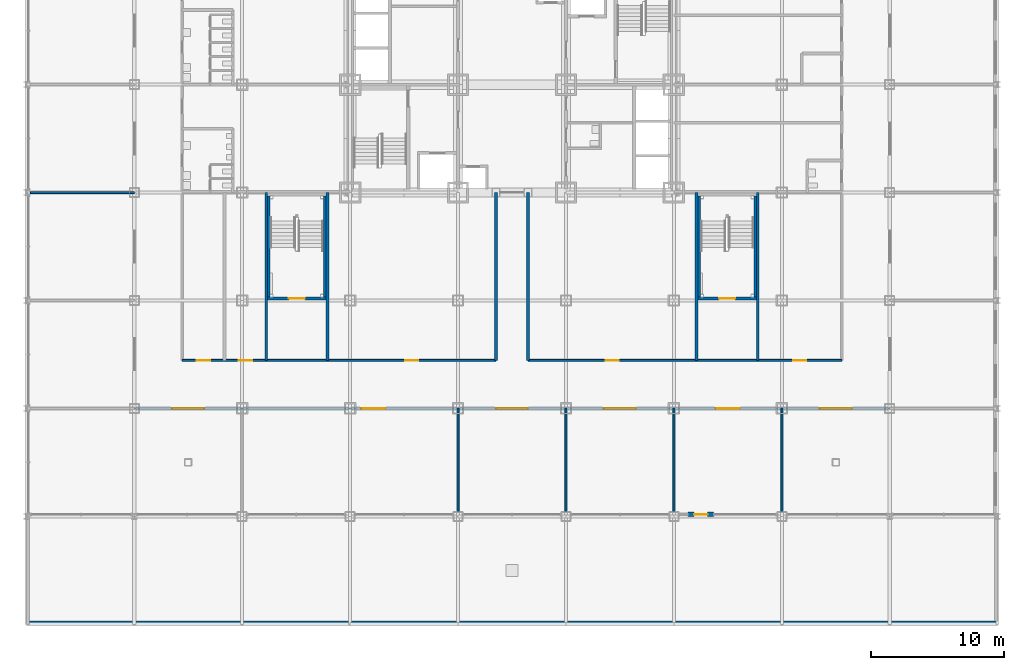
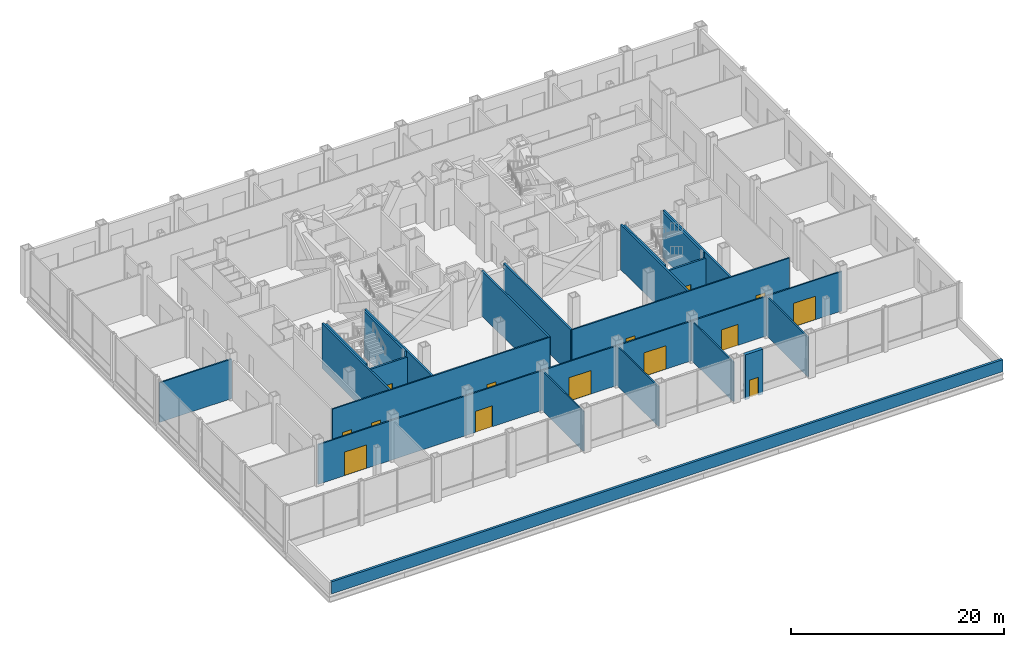
# One storey, part 21 of 29: 22 walls, 14 doors, 14 openings.
"""IFC4 building model written with IfcOpenShell, lengths in metres."""

from ifc_helpers import new_model, si_unit, direction, frame, frame_2d, origin, place, context, subcontext, project, spatial, rectangle, extrude, material, layer, layer_set, type_object, element, fill, save


model = new_model("IFC4")

# Units and contexts
model_context = context("Model", 3, precision=1e-05, world=origin(), true_north=direction((0.0, 1.0)))
body_context = subcontext(model_context, "Body", "Model", "MODEL_VIEW")
ifc_project = project(units=[si_unit("LENGTHUNIT", "METRE"), si_unit("AREAUNIT", "SQUARE_METRE"), si_unit("VOLUMEUNIT", "CUBIC_METRE"), si_unit("PLANEANGLEUNIT", "RADIAN"), si_unit("MASSUNIT", "GRAM", prefix="KILO")], contexts=[model_context])

# Site, building, storey
site_placement = place(None, origin())
site = spatial("IfcSite", under=ifc_project, at=site_placement, CompositionType="ELEMENT")
building_placement = place(site_placement, origin())
building = spatial("IfcBuilding", under=site, at=building_placement, Name="Kopane Lantern Tower", CompositionType="ELEMENT")
storey_placement = place(building_placement, frame((0.0, 0.0, 11.39990234375)))
storey = spatial("IfcBuildingStorey", under=building, at=storey_placement, Name="L02", CompositionType="ELEMENT", Elevation=11.39990234375)

# Wall, openings, doors
ifc_material_1 = material(Name="Gypsum board on steel studs", Category="steel")
ifc_layer_1 = layer(ifc_material_1, 0.14990234375)
ifc_layer_set_1 = layer_set([ifc_layer_1], Name="CORRIDOR WALL 150 EI 60")
wall_type_1 = type_object("IfcWallType", Name="CORRIDOR WALL 150 EI 60", PredefinedType="PARTITIONING", material=ifc_layer_set_1)
wall_1_placement = place(storey_placement, frame((0.0, 8.10009765625, 0.0), z_axis=(0.0, 0.0, 1.0), x_axis=(1.0, 0.0, 0.0)))
wall_1 = element("IfcWall", 1, at=wall_1_placement, inside=storey, type_object=wall_type_1, Name="Corridor Wall 150 Ei 60 L02", PredefinedType="PARTITIONING", context=body_context, shape_type="SweptSolid", body=[
    extrude(rectangle(XDim=56.699951171875, YDim=0.14990234375, at=frame_2d((28.35009765625, 0.0))), origin(), (0.0, 0.0, 1.0), 4.537841796875),
])
opening_1_placement = place(wall_1_placement, frame((17.050048828125, 0.0, 0.0)))
opening_1 = element("IfcOpeningElement", 2, at=opening_1_placement, cuts=wall_1, Name="Opening L02-016", PredefinedType="OPENING", context=body_context, shape_type="SweptSolid", body=[
    extrude(rectangle(XDim=1.800048828125, YDim=2.39990234375, at=frame_2d((0.89990234375, 1.199951171875))), frame((0.0, 0.0849609375, 0.0), z_axis=(0.0, -1.0, 0.0), x_axis=(1.0, 0.0, 0.0)), (0.0, 0.0, 1.0), 0.169921875),
])
opening_2_placement = place(wall_1_placement, frame((27.14990234375, 0.0, 0.0)))
opening_2 = element("IfcOpeningElement", 3, at=opening_2_placement, cuts=wall_1, Name="Opening L02-017", PredefinedType="OPENING", context=body_context, shape_type="SweptSolid", body=[
    extrude(rectangle(XDim=2.39990234375, YDim=2.699951171875, at=frame_2d((1.199951171875, 1.35009765625))), frame((0.0, 0.0849609375, 0.0), z_axis=(0.0, -1.0, 0.0), x_axis=(1.0, 0.0, 0.0)), (0.0, 0.0, 1.0), 0.169921875),
])
opening_3_placement = place(wall_1_placement, frame((35.25, 0.0, 0.0)))
opening_3 = element("IfcOpeningElement", 4, at=opening_3_placement, cuts=wall_1, Name="Opening L02-018", PredefinedType="OPENING", context=body_context, shape_type="SweptSolid", body=[
    extrude(rectangle(XDim=2.39990234375, YDim=2.699951171875, at=frame_2d((1.199951171875, 1.35009765625))), frame((0.0, 0.0849609375, 0.0), z_axis=(0.0, -1.0, 0.0), x_axis=(1.0, 0.0, 0.0)), (0.0, 0.0, 1.0), 0.169921875),
])
opening_4_placement = place(wall_1_placement, frame((43.64990234375, 0.0, 0.0)))
opening_4 = element("IfcOpeningElement", 5, at=opening_4_placement, cuts=wall_1, Name="Opening L02-019", PredefinedType="OPENING", context=body_context, shape_type="SweptSolid", body=[
    extrude(rectangle(XDim=1.800048828125, YDim=2.39990234375, at=frame_2d((0.89990234375, 1.199951171875))), frame((0.0, 0.0849609375, 0.0), z_axis=(0.0, -1.0, 0.0), x_axis=(1.0, 0.0, 0.0)), (0.0, 0.0, 1.0), 0.169921875),
])
opening_5_placement = place(wall_1_placement, frame((2.85009765625, 0.0, 0.0)))
opening_5 = element("IfcOpeningElement", 6, at=opening_5_placement, cuts=wall_1, Name="Opening L02-035", PredefinedType="OPENING", context=body_context, shape_type="SweptSolid", body=[
    extrude(rectangle(XDim=2.39990234375, YDim=2.699951171875, at=frame_2d((1.199951171875, 1.35009765625))), frame((0.0, 0.0849609375, 0.0), z_axis=(0.0, -1.0, 0.0), x_axis=(1.0, 0.0, 0.0)), (0.0, 0.0, 1.0), 0.169921875),
])
opening_6_placement = place(wall_1_placement, frame((51.449951171875, 0.0, 0.0)))
opening_6 = element("IfcOpeningElement", 7, at=opening_6_placement, cuts=wall_1, Name="Opening L02-036", PredefinedType="OPENING", context=body_context, shape_type="SweptSolid", body=[
    extrude(rectangle(XDim=2.39990234375, YDim=2.699951171875, at=frame_2d((1.199951171875, 1.35009765625))), frame((0.0, 0.0849609375, 0.0), z_axis=(0.0, -1.0, 0.0), x_axis=(1.0, 0.0, 0.0)), (0.0, 0.0, 1.0), 0.169921875),
])
ifc_material_2 = material(Name="Steel door set", Category="steel")
door_type_1 = type_object("IfcDoorType", Name="DOOR D6 1800x2400 FD30S", OperationType="SINGLE_SWING_LEFT", PredefinedType="DOOR", material=ifc_material_2)
door_1_placement = place(opening_1_placement, origin())
door_1 = element("IfcDoor", 8, at=door_1_placement, inside=storey, type_object=door_type_1, Name="Door L02-016", OperationType="DOUBLE_DOOR_SINGLE_SWING", OverallHeight=2.39990234375, OverallWidth=1.800048828125, PredefinedType="DOOR", context=body_context, shape_type="SweptSolid", body=[
    extrude(rectangle(XDim=1.800048828125, YDim=2.39990234375, at=frame_2d((0.89990234375, 1.199951171875))), frame((0.0, 0.02490234375, 0.0), z_axis=(0.0, -1.0, 0.0), x_axis=(1.0, 0.0, 0.0)), (0.0, 0.0, 1.0), 0.050048828125),
])
fill(opening_1, door_1)
door_2_placement = place(opening_4_placement, origin())
door_2 = element("IfcDoor", 9, at=door_2_placement, inside=storey, type_object=door_type_1, Name="Door L02-019", OperationType="DOUBLE_DOOR_SINGLE_SWING", OverallHeight=2.39990234375, OverallWidth=1.800048828125, PredefinedType="DOOR", context=body_context, shape_type="SweptSolid", body=[
    extrude(rectangle(XDim=1.800048828125, YDim=2.39990234375, at=frame_2d((0.89990234375, 1.199951171875))), frame((0.0, 0.02490234375, 0.0), z_axis=(0.0, -1.0, 0.0), x_axis=(1.0, 0.0, 0.0)), (0.0, 0.0, 1.0), 0.050048828125),
])
fill(opening_4, door_2)
ifc_material_3 = material(Name="Timber door set", Category="wood")
door_type_2 = type_object("IfcDoorType", Name="DOOR D7 2400x2700 SHOPFRONT", OperationType="SINGLE_SWING_LEFT", PredefinedType="DOOR", material=ifc_material_3)
door_3_placement = place(opening_2_placement, origin())
door_3 = element("IfcDoor", 10, at=door_3_placement, inside=storey, type_object=door_type_2, Name="Door L02-017", OperationType="DOUBLE_DOOR_SINGLE_SWING", OverallHeight=2.699951171875, OverallWidth=2.39990234375, PredefinedType="DOOR", context=body_context, shape_type="SweptSolid", body=[
    extrude(rectangle(XDim=2.39990234375, YDim=2.699951171875, at=frame_2d((1.199951171875, 1.35009765625))), frame((0.0, 0.02490234375, 0.0), z_axis=(0.0, -1.0, 0.0), x_axis=(1.0, 0.0, 0.0)), (0.0, 0.0, 1.0), 0.050048828125),
])
fill(opening_2, door_3)
door_4_placement = place(opening_3_placement, origin())
door_4 = element("IfcDoor", 11, at=door_4_placement, inside=storey, type_object=door_type_2, Name="Door L02-018", OperationType="DOUBLE_DOOR_SINGLE_SWING", OverallHeight=2.699951171875, OverallWidth=2.39990234375, PredefinedType="DOOR", context=body_context, shape_type="SweptSolid", body=[
    extrude(rectangle(XDim=2.39990234375, YDim=2.699951171875, at=frame_2d((1.199951171875, 1.35009765625))), frame((0.0, 0.02490234375, 0.0), z_axis=(0.0, -1.0, 0.0), x_axis=(1.0, 0.0, 0.0)), (0.0, 0.0, 1.0), 0.050048828125),
])
fill(opening_3, door_4)
door_5_placement = place(opening_5_placement, origin())
door_5 = element("IfcDoor", 12, at=door_5_placement, inside=storey, type_object=door_type_2, Name="Door L02-035", OperationType="DOUBLE_DOOR_SINGLE_SWING", OverallHeight=2.699951171875, OverallWidth=2.39990234375, PredefinedType="DOOR", context=body_context, shape_type="SweptSolid", body=[
    extrude(rectangle(XDim=2.39990234375, YDim=2.699951171875, at=frame_2d((1.199951171875, 1.35009765625))), frame((0.0, 0.02490234375, 0.0), z_axis=(0.0, -1.0, 0.0), x_axis=(1.0, 0.0, 0.0)), (0.0, 0.0, 1.0), 0.050048828125),
])
fill(opening_5, door_5)
door_6_placement = place(opening_6_placement, origin())
door_6 = element("IfcDoor", 13, at=door_6_placement, inside=storey, type_object=door_type_2, Name="Door L02-036", OperationType="DOUBLE_DOOR_SINGLE_SWING", OverallHeight=2.699951171875, OverallWidth=2.39990234375, PredefinedType="DOOR", context=body_context, shape_type="SweptSolid", body=[
    extrude(rectangle(XDim=2.39990234375, YDim=2.699951171875, at=frame_2d((1.199951171875, 1.35009765625))), frame((0.0, 0.02490234375, 0.0), z_axis=(0.0, -1.0, 0.0), x_axis=(1.0, 0.0, 0.0)), (0.0, 0.0, 1.0), 0.050048828125),
])
fill(opening_6, door_6)

wall_2_placement = place(storey_placement, frame((3.60009765625, 11.699951171875, 0.0), z_axis=(0.0, 0.0, 1.0), x_axis=(1.0, 0.0, 0.0)))
wall_2 = element("IfcWall", 14, at=wall_2_placement, inside=storey, type_object=wall_type_1, Name="Corridor Wall 150 Ei 60 L02", PredefinedType="PARTITIONING", context=body_context, shape_type="SweptSolid", body=[
    extrude(rectangle(XDim=23.539794921875, YDim=0.14990234375, at=frame_2d((11.77001953125, 0.0))), origin(), (0.0, 0.0, 1.0), 5.150146484375),
])
opening_7_placement = place(wall_2_placement, frame((1.08740234375, 0.0, 0.0)))
opening_7 = element("IfcOpeningElement", 15, at=opening_7_placement, cuts=wall_2, Name="Opening L02-011", PredefinedType="OPENING", context=body_context, shape_type="SweptSolid", body=[
    extrude(rectangle(XDim=1.0, YDim=2.10009765625, at=frame_2d((0.5, 1.050048828125))), frame((0.0, 0.0849609375, 0.0), z_axis=(0.0, -1.0, 0.0), x_axis=(1.0, 0.0, 0.0)), (0.0, 0.0, 1.0), 0.169921875),
])
opening_8_placement = place(wall_2_placement, frame((4.2373046875, 0.0, 0.0)))
opening_8 = element("IfcOpeningElement", 16, at=opening_8_placement, cuts=wall_2, Name="Opening L02-012", PredefinedType="OPENING", context=body_context, shape_type="SweptSolid", body=[
    extrude(rectangle(XDim=1.0, YDim=2.10009765625, at=frame_2d((0.5, 1.050048828125))), frame((0.0, 0.0849609375, 0.0), z_axis=(0.0, -1.0, 0.0), x_axis=(1.0, 0.0, 0.0)), (0.0, 0.0, 1.0), 0.169921875),
])
opening_9_placement = place(wall_2_placement, frame((16.72509765625, 0.0, 0.0)))
opening_9 = element("IfcOpeningElement", 17, at=opening_9_placement, cuts=wall_2, Name="Opening L02-013", PredefinedType="OPENING", context=body_context, shape_type="SweptSolid", body=[
    extrude(rectangle(XDim=1.0, YDim=2.10009765625, at=frame_2d((0.5, 1.050048828125))), frame((0.0, 0.0849609375, 0.0), z_axis=(0.0, -1.0, 0.0), x_axis=(1.0, 0.0, 0.0)), (0.0, 0.0, 1.0), 0.169921875),
])
ifc_material_4 = material(Name="Steel door set", Category="steel")
door_type_3 = type_object("IfcDoorType", Name="DOOR D5 1000x2100 FD60", OperationType="SINGLE_SWING_LEFT", PredefinedType="DOOR", material=ifc_material_4)
door_7_placement = place(opening_7_placement, origin())
door_7 = element("IfcDoor", 18, at=door_7_placement, inside=storey, type_object=door_type_3, Name="Door L02-011", OperationType="SINGLE_SWING_LEFT", OverallHeight=2.10009765625, OverallWidth=1.0, PredefinedType="DOOR", context=body_context, shape_type="SweptSolid", body=[
    extrude(rectangle(XDim=1.0, YDim=2.10009765625, at=frame_2d((0.5, 1.050048828125))), frame((0.0, 0.02490234375, 0.0), z_axis=(0.0, -1.0, 0.0), x_axis=(1.0, 0.0, 0.0)), (0.0, 0.0, 1.0), 0.050048828125),
])
fill(opening_7, door_7)
door_8_placement = place(opening_8_placement, origin())
door_8 = element("IfcDoor", 19, at=door_8_placement, inside=storey, type_object=door_type_3, Name="Door L02-012", OperationType="SINGLE_SWING_RIGHT", OverallHeight=2.10009765625, OverallWidth=1.0, PredefinedType="DOOR", context=body_context, shape_type="SweptSolid", body=[
    extrude(rectangle(XDim=1.0, YDim=2.10009765625, at=frame_2d((0.5, 1.050048828125))), frame((0.0, 0.02490234375, 0.0), z_axis=(0.0, -1.0, 0.0), x_axis=(1.0, 0.0, 0.0)), (0.0, 0.0, 1.0), 0.050048828125),
])
fill(opening_8, door_8)
door_9_placement = place(opening_9_placement, origin())
door_9 = element("IfcDoor", 20, at=door_9_placement, inside=storey, type_object=door_type_3, Name="Door L02-013", OperationType="SINGLE_SWING_LEFT", OverallHeight=2.10009765625, OverallWidth=1.0, PredefinedType="DOOR", context=body_context, shape_type="SweptSolid", body=[
    extrude(rectangle(XDim=1.0, YDim=2.10009765625, at=frame_2d((0.5, 1.050048828125))), frame((0.0, 0.02490234375, 0.0), z_axis=(0.0, -1.0, 0.0), x_axis=(1.0, 0.0, 0.0)), (0.0, 0.0, 1.0), 0.050048828125),
])
fill(opening_9, door_9)

wall_3_placement = place(storey_placement, frame((29.56005859375, 11.699951171875, 0.0), z_axis=(0.0, 0.0, 1.0), x_axis=(1.0, 0.0, 0.0)))
wall_3 = element("IfcWall", 21, at=wall_3_placement, inside=storey, type_object=wall_type_1, Name="Corridor Wall 150 Ei 60 L02", PredefinedType="PARTITIONING", context=body_context, shape_type="SweptSolid", body=[
    extrude(rectangle(XDim=23.5400390625, YDim=0.14990234375, at=frame_2d((11.77001953125, 0.0))), origin(), (0.0, 0.0, 1.0), 5.150146484375),
])
opening_10_placement = place(wall_3_placement, frame((5.81494140625, 0.0, 0.0)))
opening_10 = element("IfcOpeningElement", 22, at=opening_10_placement, cuts=wall_3, Name="Opening L02-014", PredefinedType="OPENING", context=body_context, shape_type="SweptSolid", body=[
    extrude(rectangle(XDim=1.0, YDim=2.10009765625, at=frame_2d((0.5, 1.050048828125))), frame((0.0, 0.0849609375, 0.0), z_axis=(0.0, -1.0, 0.0), x_axis=(1.0, 0.0, 0.0)), (0.0, 0.0, 1.0), 0.169921875),
])
opening_11_placement = place(wall_3_placement, frame((19.889892578125, 0.0, 0.0)))
opening_11 = element("IfcOpeningElement", 23, at=opening_11_placement, cuts=wall_3, Name="Opening L02-015", PredefinedType="OPENING", context=body_context, shape_type="SweptSolid", body=[
    extrude(rectangle(XDim=1.0, YDim=2.10009765625, at=frame_2d((0.5, 1.050048828125))), frame((0.0, 0.0849609375, 0.0), z_axis=(0.0, -1.0, 0.0), x_axis=(1.0, 0.0, 0.0)), (0.0, 0.0, 1.0), 0.169921875),
])
door_10_placement = place(opening_10_placement, origin())
door_10 = element("IfcDoor", 24, at=door_10_placement, inside=storey, type_object=door_type_3, Name="Door L02-014", OperationType="SINGLE_SWING_LEFT", OverallHeight=2.10009765625, OverallWidth=1.0, PredefinedType="DOOR", context=body_context, shape_type="SweptSolid", body=[
    extrude(rectangle(XDim=1.0, YDim=2.10009765625, at=frame_2d((0.5, 1.050048828125))), frame((0.0, 0.02490234375, 0.0), z_axis=(0.0, -1.0, 0.0), x_axis=(1.0, 0.0, 0.0)), (0.0, 0.0, 1.0), 0.050048828125),
])
fill(opening_10, door_10)
door_11_placement = place(opening_11_placement, origin())
door_11 = element("IfcDoor", 25, at=door_11_placement, inside=storey, type_object=door_type_3, Name="Door L02-015", OperationType="SINGLE_SWING_RIGHT", OverallHeight=2.10009765625, OverallWidth=1.0, PredefinedType="DOOR", context=body_context, shape_type="SweptSolid", body=[
    extrude(rectangle(XDim=1.0, YDim=2.10009765625, at=frame_2d((0.5, 1.050048828125))), frame((0.0, 0.02490234375, 0.0), z_axis=(0.0, -1.0, 0.0), x_axis=(1.0, 0.0, 0.0)), (0.0, 0.0, 1.0), 0.050048828125),
])
fill(opening_11, door_11)

# Walls
ifc_material_5 = material(Name="Gypsum board on steel studs", Category="steel")
ifc_layer_2 = layer(ifc_material_5, 0.14990234375)
ifc_layer_set_2 = layer_set([ifc_layer_2], Name="DEMISING WALL 150 EI 60")
wall_type_2 = type_object("IfcWallType", Name="DEMISING WALL 150 EI 60", PredefinedType="PARTITIONING", material=ifc_layer_set_2)
for number, where, z_axis, x_axis, name in (
    (26, (24.300048828125, 8.10009765625, 0.0), (0.0, 0.0, 1.0), (0.0, -1.0, 0.0), "Demising Wall 150 Ei 60 L02"),
    (27, (32.39990234375, 8.10009765625, 0.0), (0.0, 0.0, 1.0), (0.0, -1.0, 0.0), "Demising Wall 150 Ei 60 L02"),
    (28, (40.5, 8.10009765625, 0.0), (0.0, 0.0, 1.0), (0.0, -1.0, 0.0), "Demising Wall 150 Ei 60 L02"),
    (29, (0.0, 24.300048828125, 0.0), (0.0, 0.0, 1.0), (-1.0, 0.0, 0.0), "Demising Wall 150 Ei 60 L02"),
    (30, (48.60009765625, 8.10009765625, 0.0), (0.0, 0.0, 1.0), (0.0, -1.0, 0.0), "Demising Wall 150 Ei 60 L02"),
):
    element("IfcWall", number, at=place(storey_placement, frame(where, z_axis=z_axis, x_axis=x_axis)), inside=storey, type_object=wall_type_2, Name=name, PredefinedType="PARTITIONING", context=body_context, shape_type="SweptSolid", body=[
        extrude(rectangle(XDim=7.800048828125, YDim=0.14990234375, at=frame_2d((3.89990234375, 0.0))), origin(), (0.0, 0.0, 1.0), 4.537841796875),
    ])

# Wall, opening, door
ifc_material_6 = material(Name="Terracotta rainscreen on light steel framing", Category="masonry")
ifc_layer_3 = layer(ifc_material_6, 0.35009765625)
ifc_layer_set_3 = layer_set([ifc_layer_3], Name="ENTRANCE PIER WALL EW2 300 TERRACOTTA")
wall_type_3 = type_object("IfcWallType", Name="ENTRANCE PIER WALL EW2 300 TERRACOTTA", PredefinedType="SOLIDWALL", material=ifc_layer_set_3)
wall_4_placement = place(storey_placement, frame((41.574951171875, 0.14990234375, 0.0), z_axis=(0.0, 0.0, 1.0), x_axis=(1.0, 0.0, 0.0)))
wall_4 = element("IfcWall", 31, at=wall_4_placement, inside=storey, type_object=wall_type_3, Name="Entrance wall S L02", PredefinedType="SOLIDWALL", context=body_context, shape_type="SweptSolid", body=[
    extrude(rectangle(XDim=1.900146484375, YDim=0.35009765625, at=frame_2d((0.9501953125, 0.0))), origin(), (0.0, 0.0, 1.0), 5.150146484375),
])
opening_12_placement = place(wall_4_placement, frame((0.449951171875, 0.0, 0.0)))
opening_12 = element("IfcOpeningElement", 32, at=opening_12_placement, cuts=wall_4, Name="Opening L02-E01", PredefinedType="OPENING", context=body_context, shape_type="SweptSolid", body=[
    extrude(rectangle(XDim=1.0, YDim=2.10009765625, at=frame_2d((0.5, 1.050048828125))), frame((0.0, 0.18505859375, 0.0), z_axis=(0.0, -1.0, 0.0), x_axis=(1.0, 0.0, 0.0)), (0.0, 0.0, 1.0), 0.3701171875),
])
ifc_material_7 = material(Name="Insulated steel door set", Category="steel")
door_type_4 = type_object("IfcDoorType", Name="ROOF ACCESS DOOR ED1021 1000x2100", OperationType="SINGLE_SWING_LEFT", PredefinedType="DOOR", material=ifc_material_7)
door_12_placement = place(opening_12_placement, origin())
door_12 = element("IfcDoor", 33, at=door_12_placement, inside=storey, type_object=door_type_4, Name="Roof access door L02-E01", OperationType="SINGLE_SWING_LEFT", OverallHeight=2.10009765625, OverallWidth=1.0, PredefinedType="DOOR", context=body_context, shape_type="SweptSolid", body=[
    extrude(rectangle(XDim=1.0, YDim=2.10009765625, at=frame_2d((0.5, 1.050048828125))), frame((0.0, 0.02490234375, 0.0), z_axis=(0.0, -1.0, 0.0), x_axis=(1.0, 0.0, 0.0)), (0.0, 0.0, 1.0), 0.050048828125),
])
fill(opening_12, door_12)

# Walls
ifc_material_8 = material(Name="Terracotta rainscreen on light steel framing", Category="masonry")
ifc_layer_4 = layer(ifc_material_8, 0.25)
ifc_layer_set_4 = layer_set([ifc_layer_4], Name="PARAPET PW1 250 TERRACOTTA")
wall_type_4 = type_object("IfcWallType", Name="PARAPET PW1 250 TERRACOTTA", PredefinedType="PARAPET", material=ifc_layer_set_4)
wall_5_placement = place(storey_placement, frame((-7.85009765625, -7.97509765625, 0.0), z_axis=(0.0, 0.0, 1.0), x_axis=(1.0, 0.0, 0.0)))
element("IfcWall", 34, at=wall_5_placement, inside=storey, type_object=wall_type_4, Name="Parapet L02", PredefinedType="PARAPET", context=body_context, shape_type="SweptSolid", body=[
    extrude(rectangle(XDim=72.650146484375, YDim=0.25, at=frame_2d((36.3251953125, 0.0))), origin(), (0.0, 0.0, 1.0), 1.380126953125),
])
ifc_material_9 = material(Name="Concrete masonry", Category="masonry")
ifc_layer_5 = layer(ifc_material_9, 0.199951171875)
ifc_layer_set_5 = layer_set([ifc_layer_5], Name="PLANT ROOM WALL 200 EI 120")
wall_type_5 = type_object("IfcWallType", Name="PLANT ROOM WALL 200 EI 120", PredefinedType="SOLIDWALL", material=ifc_layer_set_5)
for number, where, z_axis, x_axis, name in (
    (35, (9.89990234375, 11.699951171875, 0.0), (0.0, 0.0, 1.0), (0.0, 1.0, 0.0), "Plant Room Wall 200 Ei 120 L02"),
    (36, (14.5, 11.699951171875, 0.0), (0.0, 0.0, 1.0), (0.0, 1.0, 0.0), "Plant Room Wall 200 Ei 120 L02"),
    (37, (42.199951171875, 11.699951171875, 0.0), (0.0, 0.0, 1.0), (0.0, 1.0, 0.0), "Plant Room Wall 200 Ei 120 L02"),
    (38, (46.800048828125, 11.699951171875, 0.0), (0.0, 0.0, 1.0), (0.0, 1.0, 0.0), "Plant Room Wall 200 Ei 120 L02"),
    (39, (27.14990234375, 11.699951171875, 0.0), (0.0, 0.0, 1.0), (0.0, 1.0, 0.0), "Plant Room Wall 200 Ei 120 L02"),
    (40, (29.550048828125, 11.699951171875, 0.0), (0.0, 0.0, 1.0), (0.0, 1.0, 0.0), "Plant Room Wall 200 Ei 120 L02"),
):
    element("IfcWall", number, at=place(storey_placement, frame(where, z_axis=z_axis, x_axis=x_axis)), inside=storey, type_object=wall_type_5, Name=name, PredefinedType="SOLIDWALL", context=body_context, shape_type="SweptSolid", body=[
        extrude(rectangle(XDim=12.60009765625, YDim=0.199951171875, at=frame_2d((6.300048828125, 0.0))), origin(), (0.0, 0.0, 1.0), 5.150146484375),
    ])

# Wall, opening, door
ifc_material_10 = material(Name="Gypsum shaft wall EI 120", Category="gypsum")
ifc_layer_6 = layer(ifc_material_10, 0.199951171875)
ifc_layer_set_6 = layer_set([ifc_layer_6], Name="SHAFT WALL 200 EI 120")
wall_type_6 = type_object("IfcWallType", Name="SHAFT WALL 200 EI 120", PredefinedType="SOLIDWALL", material=ifc_layer_set_6)
wall_6_placement = place(storey_placement, frame((10.0, 16.35009765625, 0.0), z_axis=(0.0, 0.0, 1.0), x_axis=(1.0, 0.0, 0.0)))
wall_6 = element("IfcWall", 41, at=wall_6_placement, inside=storey, type_object=wall_type_6, Name="Stair enclosure wall ST3 L02", PredefinedType="SOLIDWALL", context=body_context, shape_type="SweptSolid", body=[
    extrude(rectangle(XDim=4.39990234375, YDim=0.199951171875, at=frame_2d((2.199951171875, 0.0))), origin(), (0.0, 0.0, 1.0), 4.537841796875),
])
opening_13_placement = place(wall_6_placement, frame((1.60009765625, 0.0, 0.0)))
opening_13 = element("IfcOpeningElement", 42, at=opening_13_placement, cuts=wall_6, Name="Opening 02.SD3", PredefinedType="OPENING", context=body_context, shape_type="SweptSolid", body=[
    extrude(rectangle(XDim=1.199951171875, YDim=2.10009765625, at=frame_2d((0.60009765625, 1.050048828125))), frame((0.0, 0.10986328125, 0.0), z_axis=(0.0, -1.0, 0.0), x_axis=(1.0, 0.0, 0.0)), (0.0, 0.0, 1.0), 0.219970703125),
])
ifc_material_11 = material(Name="Steel door set", Category="steel")
door_type_5 = type_object("IfcDoorType", Name="STAIR DOOR 1200x2100 FD60S", OperationType="SINGLE_SWING_LEFT", PredefinedType="DOOR", material=ifc_material_11)
door_13_placement = place(opening_13_placement, origin())
door_13 = element("IfcDoor", 43, at=door_13_placement, inside=storey, type_object=door_type_5, Name="Stair door ST3 L02", OperationType="SINGLE_SWING_LEFT", OverallHeight=2.10009765625, OverallWidth=1.199951171875, PredefinedType="DOOR", context=body_context, shape_type="SweptSolid", body=[
    extrude(rectangle(XDim=1.199951171875, YDim=2.10009765625, at=frame_2d((0.60009765625, 1.050048828125))), frame((0.0, 0.02490234375, 0.0), z_axis=(0.0, -1.0, 0.0), x_axis=(1.0, 0.0, 0.0)), (0.0, 0.0, 1.0), 0.050048828125),
])
fill(opening_13, door_13)

# Walls
for number, where, z_axis, x_axis, name in (
    (44, (10.10009765625, 16.449951171875, 0.0), (0.0, 0.0, 1.0), (0.0, 1.0, 0.0), "Stair enclosure wall ST3 L02"),
    (45, (14.300048828125, 16.449951171875, 0.0), (0.0, 0.0, 1.0), (0.0, 1.0, 0.0), "Stair enclosure wall ST3 L02"),
):
    element("IfcWall", number, at=place(storey_placement, frame(where, z_axis=z_axis, x_axis=x_axis)), inside=storey, type_object=wall_type_6, Name=name, PredefinedType="SOLIDWALL", context=body_context, shape_type="SweptSolid", body=[
        extrude(rectangle(XDim=7.60009765625, YDim=0.199951171875, at=frame_2d((3.800048828125, 0.0))), origin(), (0.0, 0.0, 1.0), 5.150146484375),
    ])

# Wall, opening, door
wall_7_placement = place(storey_placement, frame((42.300048828125, 16.35009765625, 0.0), z_axis=(0.0, 0.0, 1.0), x_axis=(1.0, 0.0, 0.0)))
wall_7 = element("IfcWall", 46, at=wall_7_placement, inside=storey, type_object=wall_type_6, Name="Stair enclosure wall ST4 L02", PredefinedType="SOLIDWALL", context=body_context, shape_type="SweptSolid", body=[
    extrude(rectangle(XDim=4.39990234375, YDim=0.199951171875, at=frame_2d((2.199951171875, 0.0))), origin(), (0.0, 0.0, 1.0), 4.537841796875),
])
opening_14_placement = place(wall_7_placement, frame((1.60009765625, 0.0, 0.0)))
opening_14 = element("IfcOpeningElement", 47, at=opening_14_placement, cuts=wall_7, Name="Opening 02.SD4", PredefinedType="OPENING", context=body_context, shape_type="SweptSolid", body=[
    extrude(rectangle(XDim=1.199951171875, YDim=2.10009765625, at=frame_2d((0.60009765625, 1.050048828125))), frame((0.0, 0.10986328125, 0.0), z_axis=(0.0, -1.0, 0.0), x_axis=(1.0, 0.0, 0.0)), (0.0, 0.0, 1.0), 0.219970703125),
])
door_14_placement = place(opening_14_placement, origin())
door_14 = element("IfcDoor", 48, at=door_14_placement, inside=storey, type_object=door_type_5, Name="Stair door ST4 L02", OperationType="SINGLE_SWING_LEFT", OverallHeight=2.10009765625, OverallWidth=1.199951171875, PredefinedType="DOOR", context=body_context, shape_type="SweptSolid", body=[
    extrude(rectangle(XDim=1.199951171875, YDim=2.10009765625, at=frame_2d((0.60009765625, 1.050048828125))), frame((0.0, 0.02490234375, 0.0), z_axis=(0.0, -1.0, 0.0), x_axis=(1.0, 0.0, 0.0)), (0.0, 0.0, 1.0), 0.050048828125),
])
fill(opening_14, door_14)

# Walls
for number, where, z_axis, x_axis, name in (
    (49, (42.39990234375, 16.449951171875, 0.0), (0.0, 0.0, 1.0), (0.0, 1.0, 0.0), "Stair enclosure wall ST4 L02"),
    (50, (46.60009765625, 16.449951171875, 0.0), (0.0, 0.0, 1.0), (0.0, 1.0, 0.0), "Stair enclosure wall ST4 L02"),
):
    element("IfcWall", number, at=place(storey_placement, frame(where, z_axis=z_axis, x_axis=x_axis)), inside=storey, type_object=wall_type_6, Name=name, PredefinedType="SOLIDWALL", context=body_context, shape_type="SweptSolid", body=[
        extrude(rectangle(XDim=7.60009765625, YDim=0.199951171875, at=frame_2d((3.800048828125, 0.0))), origin(), (0.0, 0.0, 1.0), 5.150146484375),
    ])

save(model, "model.ifc")
